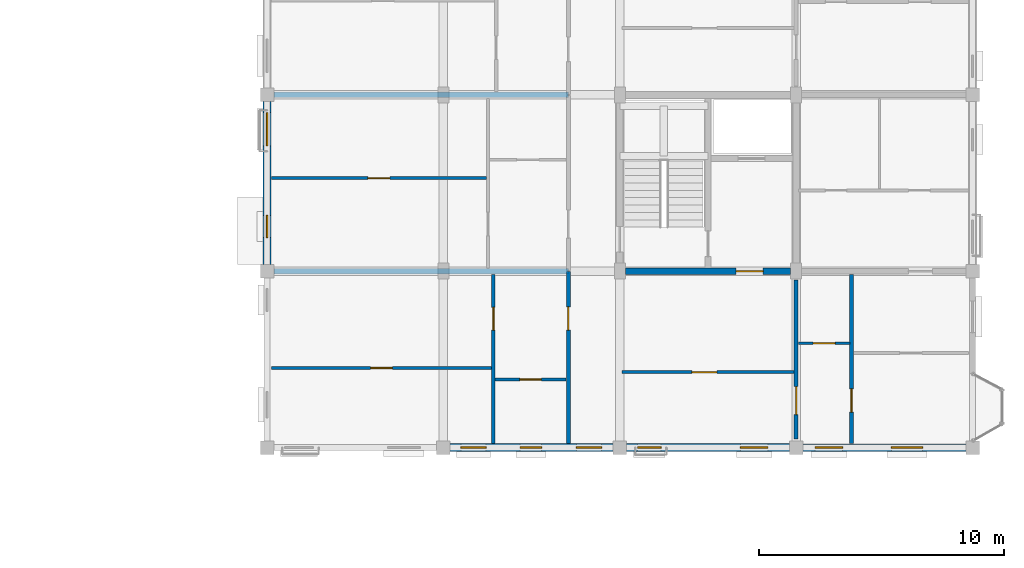
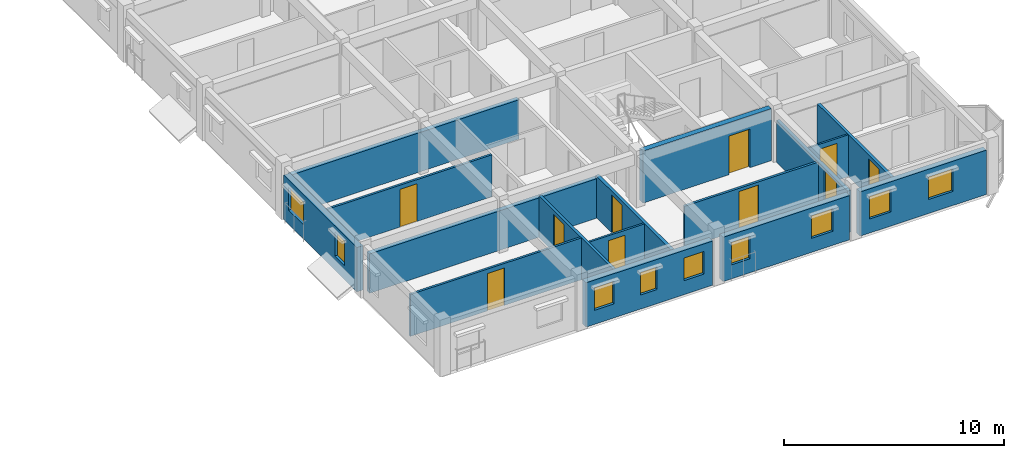
# One storey, part 54 of 75: 16 walls, 10 doors, 9 windows, 19 openings.
"""IFC4 building model written with IfcOpenShell, lengths in metres."""

from ifc_helpers import new_model, si_unit, direction, frame, frame_2d, origin, place, context, subcontext, project, spatial, rectangle, extrude, material, layer, layer_set, type_object, element, fill, save


model = new_model("IFC4")

# Units and contexts
model_context = context("Model", 3, precision=1e-05, world=origin(), true_north=direction((0.0, 1.0)))
body_context = subcontext(model_context, "Body", "Model", "MODEL_VIEW")
ifc_project = project(units=[si_unit("LENGTHUNIT", "METRE"), si_unit("AREAUNIT", "SQUARE_METRE"), si_unit("VOLUMEUNIT", "CUBIC_METRE"), si_unit("PLANEANGLEUNIT", "RADIAN"), si_unit("MASSUNIT", "GRAM", prefix="KILO"), si_unit("THERMODYNAMICTEMPERATUREUNIT", "KELVIN"), si_unit("POWERUNIT", "WATT")], contexts=[model_context])

# Site, building, storey
site_placement = place(None, origin())
site = spatial("IfcSite", under=ifc_project, at=site_placement, CompositionType="ELEMENT")
building_placement = place(site_placement, origin())
building = spatial("IfcBuilding", under=site, at=building_placement, Name="Tavuni Mirador Residences", CompositionType="ELEMENT")
storey_placement = place(building_placement, frame((0.0, 0.0, 20.25)))
storey = spatial("IfcBuildingStorey", under=building, at=storey_placement, Name="L06", CompositionType="ELEMENT", Elevation=20.25)

# Wall, opening, door
ifc_material_1 = material(Name="Precast concrete C40/50", Category="concrete")
ifc_layer_1 = layer(ifc_material_1, 0.280029296875, Name="Precast concrete C40/50", Category="concrete")
ifc_layer_set_1 = layer_set([ifc_layer_1], Name="Precast concrete C40/50")
wall_type_1 = type_object("IfcWallType", Name="WT-COR280", PredefinedType="SHEAR", material=ifc_layer_set_1)
wall_1_placement = place(storey_placement, frame((104.625, 93.60009765625, 0.0), z_axis=(0.0, 0.0, 1.0), x_axis=(1.0, 0.0, 0.0)))
wall_1 = element("IfcWall", 1, at=wall_1_placement, inside=storey, type_object=wall_type_1, Name="CWALL-C7-L06-SS", PredefinedType="SHEAR", context=body_context, shape_type="SweptSolid", body=[
    extrude(rectangle(XDim=6.75, YDim=0.280029296875, at=frame_2d((3.375, 0.0))), origin(), (0.0, 0.0, 1.0), 2.889892578125),
])
opening_1_placement = place(wall_1_placement, frame((4.52490234375, 0.0, 0.0)))
opening_1 = element("IfcOpeningElement", 2, at=opening_1_placement, cuts=wall_1, Name="Opening D-02", PredefinedType="OPENING", context=body_context, shape_type="SweptSolid", body=[
    extrude(rectangle(XDim=1.10009765625, YDim=2.14990234375, at=frame_2d((0.550048828125, 1.074951171875))), frame((0.0, 0.14990234375, 0.0), z_axis=(0.0, -1.0, 0.0), x_axis=(1.0, 0.0, 0.0)), (0.0, 0.0, 1.0), 0.300048828125),
])
ifc_material_2 = material(Name="Solid core iroko timber", Category="wood")
door_type_1 = type_object("IfcDoorType", Name="DT-LOB1100", OperationType="NOTDEFINED", PredefinedType="DOOR", material=ifc_material_2)
door_1_placement = place(opening_1_placement, frame((1.10009765625, 0.0, 0.0), z_axis=(0.0, 0.0, 1.0), x_axis=(-1.0, 0.0, 0.0)))
door_1 = element("IfcDoor", 3, at=door_1_placement, inside=storey, type_object=door_type_1, Name="DR-2290", OperationType="SINGLE_SWING_RIGHT", OverallHeight=2.14990234375, OverallWidth=1.10009765625, PredefinedType="DOOR", context=body_context, shape_type="SweptSolid", body=[
    extrude(rectangle(XDim=1.10009765625, YDim=2.14990234375, at=frame_2d((0.550048828125, 1.074951171875))), frame((0.0, 0.02490234375, 0.0), z_axis=(0.0, -1.0, 0.0), x_axis=(1.0, 0.0, 0.0)), (0.0, 0.0, 1.0), 0.050048828125),
])
fill(opening_1, door_1)

ifc_layer_2 = layer(ifc_material_1, 0.1650390625, Name="Precast concrete C40/50", Category="concrete")
ifc_layer_set_2 = layer_set([ifc_layer_2], Name="Precast concrete C40/50")
wall_type_2 = type_object("IfcWallType", Name="WT-CORR165", PredefinedType="PARTITIONING", material=ifc_layer_set_2)
wall_2_placement = place(storey_placement, frame((102.300048828125, 86.574951171875, 0.0), z_axis=(0.0, 0.0, 1.0), x_axis=(0.0, 1.0, 0.0)))
wall_2 = element("IfcWall", 4, at=wall_2_placement, inside=storey, type_object=wall_type_2, Name="CORW-BLK-D-L06-0-00", PredefinedType="PARTITIONING", context=body_context, shape_type="SweptSolid", body=[
    extrude(rectangle(XDim=7.005126953125, YDim=0.1650390625, at=frame_2d((3.50244140625, 0.0))), origin(), (0.0, 0.0, 1.0), 2.324951171875),
])
opening_2_placement = place(wall_2_placement, frame((4.625, 0.0, 0.0)))
opening_2 = element("IfcOpeningElement", 5, at=opening_2_placement, cuts=wall_2, Name="Opening D-19", PredefinedType="OPENING", context=body_context, shape_type="SweptSolid", body=[
    extrude(rectangle(XDim=0.93994140625, YDim=2.1201171875, at=frame_2d((0.469970703125, 1.06005859375))), frame((0.0, 0.092529296875, 0.0), z_axis=(0.0, -1.0, 0.0), x_axis=(1.0, 0.0, 0.0)), (0.0, 0.0, 1.0), 0.18505859375),
])
door_type_2 = type_object("IfcDoorType", Name="DT-FD60-940", OperationType="NOTDEFINED", PredefinedType="DOOR", material=ifc_material_2)
door_2_placement = place(opening_2_placement, origin())
door_2 = element("IfcDoor", 6, at=door_2_placement, inside=storey, type_object=door_type_2, Name="DR-2881", OperationType="SINGLE_SWING_RIGHT", OverallHeight=2.1201171875, OverallWidth=0.93994140625, PredefinedType="DOOR", context=body_context, shape_type="SweptSolid", body=[
    extrude(rectangle(XDim=0.93994140625, YDim=2.1201171875, at=frame_2d((0.469970703125, 1.06005859375))), frame((0.0, 0.02490234375, 0.0), z_axis=(0.0, -1.0, 0.0), x_axis=(1.0, 0.0, 0.0)), (0.0, 0.0, 1.0), 0.050048828125),
])
fill(opening_2, door_2)

wall_3_placement = place(storey_placement, frame((111.60009765625, 86.75, 0.0), z_axis=(0.0, 0.0, 1.0), x_axis=(0.0, 1.0, 0.0)))
wall_3 = element("IfcWall", 7, at=wall_3_placement, inside=storey, type_object=wall_type_2, Name="CORW-BLK-D-L06-1-00", PredefinedType="PARTITIONING", context=body_context, shape_type="SweptSolid", body=[
    extrude(rectangle(XDim=6.5, YDim=0.1650390625, at=frame_2d((3.25, 0.0))), origin(), (0.0, 0.0, 1.0), 2.324951171875),
])
opening_3_placement = place(wall_3_placement, frame((1.0, 0.0, 0.0)))
opening_3 = element("IfcOpeningElement", 8, at=opening_3_placement, cuts=wall_3, Name="Opening D-20", PredefinedType="OPENING", context=body_context, shape_type="SweptSolid", body=[
    extrude(rectangle(XDim=1.139892578125, YDim=2.179931640625, at=frame_2d((0.56982421875, 1.08984375))), frame((0.0, 0.092529296875, 0.0), z_axis=(0.0, -1.0, 0.0), x_axis=(1.0, 0.0, 0.0)), (0.0, 0.0, 1.0), 0.18505859375),
])
door_type_3 = type_object("IfcDoorType", Name="DT-FD60-1140", OperationType="NOTDEFINED", PredefinedType="DOOR", material=ifc_material_2)
door_3_placement = place(opening_3_placement, origin())
door_3 = element("IfcDoor", 9, at=door_3_placement, inside=storey, type_object=door_type_3, Name="DR-2888", OperationType="SINGLE_SWING_LEFT", OverallHeight=2.179931640625, OverallWidth=1.139892578125, PredefinedType="DOOR", context=body_context, shape_type="SweptSolid", body=[
    extrude(rectangle(XDim=1.139892578125, YDim=2.179931640625, at=frame_2d((0.56982421875, 1.08984375))), frame((0.0, 0.02490234375, 0.0), z_axis=(0.0, -1.0, 0.0), x_axis=(1.0, 0.0, 0.0)), (0.0, 0.0, 1.0), 0.050048828125),
])
fill(opening_3, door_3)

# Wall, openings, windows
ifc_layer_3 = layer(ifc_material_1, 0.330078125, Name="Precast concrete C40/50", Category="concrete")
ifc_layer_set_3 = layer_set([ifc_layer_3], Name="Precast concrete C40/50")
wall_type_3 = type_object("IfcWallType", Name="WT-EXT-COR330", PredefinedType="SOLIDWALL", material=ifc_layer_set_3)
wall_4_placement = place(storey_placement, frame((97.47509765625, 86.39990234375, 0.0), z_axis=(0.0, 0.0, 1.0), x_axis=(1.0, 0.0, 0.0)))
wall_4 = element("IfcWall", 10, at=wall_4_placement, inside=storey, type_object=wall_type_3, Name="EW-BLK-D-L06-S01", PredefinedType="SOLIDWALL", context=body_context, shape_type="SweptSolid", body=[
    extrude(rectangle(XDim=6.64990234375, YDim=0.330078125, at=frame_2d((3.324951171875, 0.0))), origin(), (0.0, 0.0, 1.0), 2.4599609375),
])
opening_4_placement = place(wall_4_placement, frame((0.4326171875, 0.0, 0.780029296875)))
opening_4 = element("IfcOpeningElement", 11, at=opening_4_placement, cuts=wall_4, Name="Opening WN-11", PredefinedType="OPENING", context=body_context, shape_type="SweptSolid", body=[
    extrude(rectangle(XDim=1.0400390625, YDim=1.260009765625, at=frame_2d((0.52001953125, 0.6298828125))), frame((0.0, 0.175048828125, 0.0), z_axis=(0.0, -1.0, 0.0), x_axis=(1.0, 0.0, 0.0)), (0.0, 0.0, 1.0), 0.35009765625),
])
opening_5_placement = place(wall_4_placement, frame((2.85498046875, 0.0, 0.780029296875)))
opening_5 = element("IfcOpeningElement", 12, at=opening_5_placement, cuts=wall_4, Name="Opening WN-09", PredefinedType="OPENING", context=body_context, shape_type="SweptSolid", body=[
    extrude(rectangle(XDim=0.8798828125, YDim=1.260009765625, at=frame_2d((0.43994140625, 0.6298828125))), frame((0.0, 0.175048828125, 0.0), z_axis=(0.0, -1.0, 0.0), x_axis=(1.0, 0.0, 0.0)), (0.0, 0.0, 1.0), 0.35009765625),
])
opening_6_placement = place(wall_4_placement, frame((5.1474609375, 0.0, 0.780029296875)))
opening_6 = element("IfcOpeningElement", 13, at=opening_6_placement, cuts=wall_4, Name="Opening WN-11", PredefinedType="OPENING", context=body_context, shape_type="SweptSolid", body=[
    extrude(rectangle(XDim=1.0400390625, YDim=1.260009765625, at=frame_2d((0.52001953125, 0.6298828125))), frame((0.0, 0.175048828125, 0.0), z_axis=(0.0, -1.0, 0.0), x_axis=(1.0, 0.0, 0.0)), (0.0, 0.0, 1.0), 0.35009765625),
])
ifc_material_3 = material(Name="Laminated solar-control glass", Category="glass")
window_type_1 = type_object("IfcWindowType", Name="WNT-09", PartitioningType="SINGLE_PANEL", PredefinedType="WINDOW", material=ifc_material_3)
window_1_placement = place(opening_5_placement, origin())
window_1 = element("IfcWindow", 14, at=window_1_placement, inside=storey, type_object=window_type_1, Name="WIN-1651", OverallHeight=1.260009765625, OverallWidth=0.8798828125, PartitioningType="SINGLE_PANEL", PredefinedType="WINDOW", context=body_context, shape_type="SweptSolid", body=[
    extrude(rectangle(XDim=0.8798828125, YDim=1.260009765625, at=frame_2d((0.43994140625, 0.6298828125))), frame((0.0, 0.030029296875, 0.0), z_axis=(0.0, -1.0, 0.0), x_axis=(1.0, 0.0, 0.0)), (0.0, 0.0, 1.0), 0.06005859375),
])
fill(opening_5, window_1)
window_type_2 = type_object("IfcWindowType", Name="WNT-11", PartitioningType="SINGLE_PANEL", PredefinedType="WINDOW", material=ifc_material_3)
window_2_placement = place(opening_4_placement, origin())
window_2 = element("IfcWindow", 15, at=window_2_placement, inside=storey, type_object=window_type_2, Name="WIN-1650", OverallHeight=1.260009765625, OverallWidth=1.0400390625, PartitioningType="SINGLE_PANEL", PredefinedType="WINDOW", context=body_context, shape_type="SweptSolid", body=[
    extrude(rectangle(XDim=1.0400390625, YDim=1.260009765625, at=frame_2d((0.52001953125, 0.6298828125))), frame((0.0, 0.030029296875, 0.0), z_axis=(0.0, -1.0, 0.0), x_axis=(1.0, 0.0, 0.0)), (0.0, 0.0, 1.0), 0.06005859375),
])
fill(opening_4, window_2)
window_3_placement = place(opening_6_placement, origin())
window_3 = element("IfcWindow", 16, at=window_3_placement, inside=storey, type_object=window_type_2, Name="WIN-1652", OverallHeight=1.260009765625, OverallWidth=1.0400390625, PartitioningType="SINGLE_PANEL", PredefinedType="WINDOW", context=body_context, shape_type="SweptSolid", body=[
    extrude(rectangle(XDim=1.0400390625, YDim=1.260009765625, at=frame_2d((0.52001953125, 0.6298828125))), frame((0.0, 0.030029296875, 0.0), z_axis=(0.0, -1.0, 0.0), x_axis=(1.0, 0.0, 0.0)), (0.0, 0.0, 1.0), 0.06005859375),
])
fill(opening_6, window_3)

wall_5_placement = place(storey_placement, frame((90.0, 100.52490234375, 0.0), z_axis=(0.0, 0.0, 1.0), x_axis=(0.0, -1.0, 0.0)))
wall_5 = element("IfcWall", 17, at=wall_5_placement, inside=storey, type_object=wall_type_3, Name="EW-BLK-D-L06-W01", PredefinedType="SOLIDWALL", context=body_context, shape_type="SweptSolid", body=[
    extrude(rectangle(XDim=6.64990234375, YDim=0.330078125, at=frame_2d((3.324951171875, 0.0))), origin(), (0.0, 0.0, 1.0), 2.4599609375),
])
opening_7_placement = place(wall_5_placement, frame((0.449951171875, 0.0, 0.780029296875)))
opening_7 = element("IfcOpeningElement", 18, at=opening_7_placement, cuts=wall_5, Name="Opening WN-15", PredefinedType="OPENING", context=body_context, shape_type="SweptSolid", body=[
    extrude(rectangle(XDim=1.360107421875, YDim=1.260009765625, at=frame_2d((0.68017578125, 0.6298828125))), frame((0.0, 0.175048828125, 0.0), z_axis=(0.0, -1.0, 0.0), x_axis=(1.0, 0.0, 0.0)), (0.0, 0.0, 1.0), 0.35009765625),
])
opening_8_placement = place(wall_5_placement, frame((4.64990234375, 0.0, 0.780029296875)))
opening_8 = element("IfcOpeningElement", 19, at=opening_8_placement, cuts=wall_5, Name="Opening WN-17", PredefinedType="OPENING", context=body_context, shape_type="SweptSolid", body=[
    extrude(rectangle(XDim=0.89990234375, YDim=1.360107421875, at=frame_2d((0.449951171875, 0.68017578125))), frame((0.0, 0.175048828125, 0.0), z_axis=(0.0, -1.0, 0.0), x_axis=(1.0, 0.0, 0.0)), (0.0, 0.0, 1.0), 0.35009765625),
])
window_type_3 = type_object("IfcWindowType", Name="WNT-15", PartitioningType="SINGLE_PANEL", PredefinedType="WINDOW", material=ifc_material_3)
window_4_placement = place(opening_7_placement, origin())
window_4 = element("IfcWindow", 20, at=window_4_placement, inside=storey, type_object=window_type_3, Name="WIN-1688", OverallHeight=1.260009765625, OverallWidth=1.360107421875, PartitioningType="SINGLE_PANEL", PredefinedType="WINDOW", context=body_context, shape_type="SweptSolid", body=[
    extrude(rectangle(XDim=1.360107421875, YDim=1.260009765625, at=frame_2d((0.68017578125, 0.6298828125))), frame((0.0, 0.030029296875, 0.0), z_axis=(0.0, -1.0, 0.0), x_axis=(1.0, 0.0, 0.0)), (0.0, 0.0, 1.0), 0.06005859375),
])
fill(opening_7, window_4)
window_type_4 = type_object("IfcWindowType", Name="WNT-17", PartitioningType="SINGLE_PANEL", PredefinedType="WINDOW", material=ifc_material_3)
window_5_placement = place(opening_8_placement, origin())
window_5 = element("IfcWindow", 21, at=window_5_placement, inside=storey, type_object=window_type_4, Name="WIN-1689", OverallHeight=1.360107421875, OverallWidth=0.89990234375, PartitioningType="SINGLE_PANEL", PredefinedType="WINDOW", context=body_context, shape_type="SweptSolid", body=[
    extrude(rectangle(XDim=0.89990234375, YDim=1.360107421875, at=frame_2d((0.449951171875, 0.68017578125))), frame((0.0, 0.030029296875, 0.0), z_axis=(0.0, -1.0, 0.0), x_axis=(1.0, 0.0, 0.0)), (0.0, 0.0, 1.0), 0.06005859375),
])
fill(opening_8, window_5)

ifc_material_4 = material(Name="Sgraffito lime-rendered precast concrete C40/50", Category="concrete")
ifc_layer_4 = layer(ifc_material_4, 0.304931640625, Name="Sgraffito lime-rendered precast concrete C40/50", Category="concrete")
ifc_layer_set_4 = layer_set([ifc_layer_4], Name="Sgraffito lime-rendered precast concrete C40/50")
wall_type_4 = type_object("IfcWallType", Name="WT-EXT-PC305", PredefinedType="SOLIDWALL", material=ifc_layer_set_4)
wall_6_placement = place(storey_placement, frame((111.875, 86.39990234375, 0.0), z_axis=(0.0, 0.0, 1.0), x_axis=(1.0, 0.0, 0.0)))
wall_6 = element("IfcWall", 22, at=wall_6_placement, inside=storey, type_object=wall_type_4, Name="EW-BLK-D-L06-S03", PredefinedType="SOLIDWALL", context=body_context, shape_type="SweptSolid", body=[
    extrude(rectangle(XDim=6.64990234375, YDim=0.304931640625, at=frame_2d((3.324951171875, 0.0))), origin(), (0.0, 0.0, 1.0), 2.4599609375),
])
opening_9_placement = place(wall_6_placement, frame((0.50244140625, 0.0, 0.780029296875)))
opening_9 = element("IfcOpeningElement", 23, at=opening_9_placement, cuts=wall_6, Name="Opening WN-12", PredefinedType="OPENING", context=body_context, shape_type="SweptSolid", body=[
    extrude(rectangle(XDim=1.1201171875, YDim=1.260009765625, at=frame_2d((0.56005859375, 0.6298828125))), frame((0.0, 0.16259765625, 0.0), z_axis=(0.0, -1.0, 0.0), x_axis=(1.0, 0.0, 0.0)), (0.0, 0.0, 1.0), 0.324951171875),
])
opening_10_placement = place(wall_6_placement, frame((3.607421875, 0.0, 0.780029296875)))
opening_10 = element("IfcOpeningElement", 24, at=opening_10_placement, cuts=wall_6, Name="Opening WN-14", PredefinedType="OPENING", context=body_context, shape_type="SweptSolid", body=[
    extrude(rectangle(XDim=1.280029296875, YDim=1.260009765625, at=frame_2d((0.64013671875, 0.6298828125))), frame((0.0, 0.16259765625, 0.0), z_axis=(0.0, -1.0, 0.0), x_axis=(1.0, 0.0, 0.0)), (0.0, 0.0, 1.0), 0.324951171875),
])
window_type_5 = type_object("IfcWindowType", Name="WNT-12", PartitioningType="SINGLE_PANEL", PredefinedType="WINDOW", material=ifc_material_3)
window_6_placement = place(opening_9_placement, origin())
window_6 = element("IfcWindow", 25, at=window_6_placement, inside=storey, type_object=window_type_5, Name="WIN-1655", OverallHeight=1.260009765625, OverallWidth=1.1201171875, PartitioningType="SINGLE_PANEL", PredefinedType="WINDOW", context=body_context, shape_type="SweptSolid", body=[
    extrude(rectangle(XDim=1.1201171875, YDim=1.260009765625, at=frame_2d((0.56005859375, 0.6298828125))), frame((0.0, 0.030029296875, 0.0), z_axis=(0.0, -1.0, 0.0), x_axis=(1.0, 0.0, 0.0)), (0.0, 0.0, 1.0), 0.06005859375),
])
fill(opening_9, window_6)
window_type_6 = type_object("IfcWindowType", Name="WNT-14", PartitioningType="SINGLE_PANEL", PredefinedType="WINDOW", material=ifc_material_3)
window_7_placement = place(opening_10_placement, origin())
window_7 = element("IfcWindow", 26, at=window_7_placement, inside=storey, type_object=window_type_6, Name="WIN-1656", OverallHeight=1.260009765625, OverallWidth=1.280029296875, PartitioningType="SINGLE_PANEL", PredefinedType="WINDOW", context=body_context, shape_type="SweptSolid", body=[
    extrude(rectangle(XDim=1.280029296875, YDim=1.260009765625, at=frame_2d((0.64013671875, 0.6298828125))), frame((0.0, 0.030029296875, 0.0), z_axis=(0.0, -1.0, 0.0), x_axis=(1.0, 0.0, 0.0)), (0.0, 0.0, 1.0), 0.06005859375),
])
fill(opening_10, window_7)

ifc_layer_5 = layer(ifc_material_4, 0.31494140625, Name="Sgraffito lime-rendered precast concrete C40/50", Category="concrete")
ifc_layer_set_5 = layer_set([ifc_layer_5], Name="Sgraffito lime-rendered precast concrete C40/50")
wall_type_5 = type_object("IfcWallType", Name="WT-EXT-PC315", PredefinedType="SOLIDWALL", material=ifc_layer_set_5)
wall_7_placement = place(storey_placement, frame((104.675048828125, 86.39990234375, 0.0), z_axis=(0.0, 0.0, 1.0), x_axis=(1.0, 0.0, 0.0)))
wall_7 = element("IfcWall", 27, at=wall_7_placement, inside=storey, type_object=wall_type_5, Name="EW-BLK-D-L06-S02", PredefinedType="SOLIDWALL", context=body_context, shape_type="SweptSolid", body=[
    extrude(rectangle(XDim=6.64990234375, YDim=0.31494140625, at=frame_2d((3.324951171875, 0.0))), origin(), (0.0, 0.0, 1.0), 2.4599609375),
])
opening_11_placement = place(wall_7_placement, frame((0.449951171875, 0.0, 0.780029296875)))
opening_11 = element("IfcOpeningElement", 28, at=opening_11_placement, cuts=wall_7, Name="Opening WN-10", PredefinedType="OPENING", context=body_context, shape_type="SweptSolid", body=[
    extrude(rectangle(XDim=0.9599609375, YDim=1.260009765625, at=frame_2d((0.47998046875, 0.6298828125))), frame((0.0, 0.16748046875, 0.0), z_axis=(0.0, -1.0, 0.0), x_axis=(1.0, 0.0, 0.0)), (0.0, 0.0, 1.0), 0.3349609375),
])
opening_12_placement = place(wall_7_placement, frame((4.64990234375, 0.0, 0.780029296875)))
opening_12 = element("IfcOpeningElement", 29, at=opening_12_placement, cuts=wall_7, Name="Opening WN-12", PredefinedType="OPENING", context=body_context, shape_type="SweptSolid", body=[
    extrude(rectangle(XDim=1.1201171875, YDim=1.260009765625, at=frame_2d((0.56005859375, 0.6298828125))), frame((0.0, 0.16748046875, 0.0), z_axis=(0.0, -1.0, 0.0), x_axis=(1.0, 0.0, 0.0)), (0.0, 0.0, 1.0), 0.3349609375),
])
window_type_7 = type_object("IfcWindowType", Name="WNT-10", PartitioningType="SINGLE_PANEL", PredefinedType="WINDOW", material=ifc_material_3)
window_8_placement = place(opening_11_placement, origin())
window_8 = element("IfcWindow", 30, at=window_8_placement, inside=storey, type_object=window_type_7, Name="WIN-1653", OverallHeight=1.260009765625, OverallWidth=0.9599609375, PartitioningType="SINGLE_PANEL", PredefinedType="WINDOW", context=body_context, shape_type="SweptSolid", body=[
    extrude(rectangle(XDim=0.9599609375, YDim=1.260009765625, at=frame_2d((0.47998046875, 0.6298828125))), frame((0.0, 0.030029296875, 0.0), z_axis=(0.0, -1.0, 0.0), x_axis=(1.0, 0.0, 0.0)), (0.0, 0.0, 1.0), 0.06005859375),
])
fill(opening_11, window_8)
window_9_placement = place(opening_12_placement, origin())
window_9 = element("IfcWindow", 31, at=window_9_placement, inside=storey, type_object=window_type_5, Name="WIN-1654", OverallHeight=1.260009765625, OverallWidth=1.1201171875, PartitioningType="SINGLE_PANEL", PredefinedType="WINDOW", context=body_context, shape_type="SweptSolid", body=[
    extrude(rectangle(XDim=1.1201171875, YDim=1.260009765625, at=frame_2d((0.56005859375, 0.6298828125))), frame((0.0, 0.030029296875, 0.0), z_axis=(0.0, -1.0, 0.0), x_axis=(1.0, 0.0, 0.0)), (0.0, 0.0, 1.0), 0.06005859375),
])
fill(opening_12, window_9)

# Wall, opening, door
ifc_material_5 = material(Name="Acoustic gypsum and concrete block partition", Category="concrete")
ifc_layer_6 = layer(ifc_material_5, 0.094970703125, Name="Acoustic gypsum and concrete block partition", Category="concrete")
ifc_layer_set_6 = layer_set([ifc_layer_6], Name="Acoustic gypsum and concrete block partition")
wall_type_6 = type_object("IfcWallType", Name="WT-PART095", PredefinedType="PARTITIONING", material=ifc_layer_set_6)
wall_8_placement = place(storey_placement, frame((111.68994140625, 90.659912109375, 0.0), z_axis=(0.0, 0.0, 1.0), x_axis=(1.0, 0.0, 0.0)))
wall_8 = element("IfcWall", 32, at=wall_8_placement, inside=storey, type_object=wall_type_6, Name="PW-BLK-D-L06-E00-IN1", PredefinedType="PARTITIONING", context=body_context, shape_type="SweptSolid", body=[
    extrude(rectangle(XDim=2.10009765625, YDim=0.094970703125, at=frame_2d((1.050048828125, 0.0))), origin(), (0.0, 0.0, 1.0), 2.324951171875),
])
opening_13_placement = place(wall_8_placement, frame((0.60009765625, 0.0, 0.0)))
opening_13 = element("IfcOpeningElement", 33, at=opening_13_placement, cuts=wall_8, Name="Opening D-09", PredefinedType="OPENING", context=body_context, shape_type="SweptSolid", body=[
    extrude(rectangle(XDim=0.89990234375, YDim=2.050048828125, at=frame_2d((0.449951171875, 1.02490234375))), frame((0.0, 0.0576171875, 0.0), z_axis=(0.0, -1.0, 0.0), x_axis=(1.0, 0.0, 0.0)), (0.0, 0.0, 1.0), 0.114990234375),
])
door_type_4 = type_object("IfcDoorType", Name="DT-WC900", OperationType="NOTDEFINED", PredefinedType="DOOR", material=ifc_material_2)
door_4_placement = place(opening_13_placement, origin())
door_4 = element("IfcDoor", 34, at=door_4_placement, inside=storey, type_object=door_type_4, Name="DR-4514", OperationType="SINGLE_SWING_RIGHT", OverallHeight=2.050048828125, OverallWidth=0.89990234375, PredefinedType="DOOR", context=body_context, shape_type="SweptSolid", body=[
    extrude(rectangle(XDim=0.89990234375, YDim=2.050048828125, at=frame_2d((0.449951171875, 1.02490234375))), frame((0.0, 0.02490234375, 0.0), z_axis=(0.0, -1.0, 0.0), x_axis=(1.0, 0.0, 0.0)), (0.0, 0.0, 1.0), 0.050048828125),
])
fill(opening_13, door_4)

ifc_layer_7 = layer(ifc_material_5, 0.10498046875, Name="Acoustic gypsum and concrete block partition", Category="concrete")
ifc_layer_set_7 = layer_set([ifc_layer_7], Name="Acoustic gypsum and concrete block partition")
wall_type_7 = type_object("IfcWallType", Name="WT-PART105", PredefinedType="PARTITIONING", material=ifc_layer_set_7)
wall_9_placement = place(storey_placement, frame((99.31005859375, 89.179931640625, 0.0), z_axis=(0.0, 0.0, 1.0), x_axis=(1.0, 0.0, 0.0)))
wall_9 = element("IfcWall", 35, at=wall_9_placement, inside=storey, type_object=wall_type_7, Name="PW-BLK-D-L06-W00-IN1", PredefinedType="PARTITIONING", context=body_context, shape_type="SweptSolid", body=[
    extrude(rectangle(XDim=2.89990234375, YDim=0.10498046875, at=frame_2d((1.449951171875, 0.0))), origin(), (0.0, 0.0, 1.0), 2.324951171875),
])
opening_14_placement = place(wall_9_placement, frame((1.014892578125, 0.0, 0.0)))
opening_14 = element("IfcOpeningElement", 36, at=opening_14_placement, cuts=wall_9, Name="Opening D-10", PredefinedType="OPENING", context=body_context, shape_type="SweptSolid", body=[
    extrude(rectangle(XDim=0.8701171875, YDim=2.050048828125, at=frame_2d((0.43505859375, 1.02490234375))), frame((0.0, 0.0625, 0.0), z_axis=(0.0, -1.0, 0.0), x_axis=(1.0, 0.0, 0.0)), (0.0, 0.0, 1.0), 0.125),
])
door_type_5 = type_object("IfcDoorType", Name="DT-WC870", OperationType="NOTDEFINED", PredefinedType="DOOR", material=ifc_material_2)
door_5_placement = place(opening_14_placement, origin())
door_5 = element("IfcDoor", 37, at=door_5_placement, inside=storey, type_object=door_type_5, Name="DR-4511", OperationType="SINGLE_SWING_LEFT", OverallHeight=2.050048828125, OverallWidth=0.8701171875, PredefinedType="DOOR", context=body_context, shape_type="SweptSolid", body=[
    extrude(rectangle(XDim=0.8701171875, YDim=2.050048828125, at=frame_2d((0.43505859375, 1.02490234375))), frame((0.0, 0.02490234375, 0.0), z_axis=(0.0, -1.0, 0.0), x_axis=(1.0, 0.0, 0.0)), (0.0, 0.0, 1.0), 0.050048828125),
])
fill(opening_14, door_5)

ifc_layer_8 = layer(ifc_material_5, 0.114990234375, Name="Acoustic gypsum and concrete block partition", Category="concrete")
ifc_layer_set_8 = layer_set([ifc_layer_8], Name="Acoustic gypsum and concrete block partition")
wall_type_8 = type_object("IfcWallType", Name="WT-PART115", PredefinedType="PARTITIONING", material=ifc_layer_set_8)
wall_10_placement = place(storey_placement, frame((90.175048828125, 89.64990234375, 0.0), z_axis=(0.0, 0.0, 1.0), x_axis=(1.0, 0.0, 0.0)))
wall_10 = element("IfcWall", 38, at=wall_10_placement, inside=storey, type_object=wall_type_8, Name="PW-BLK-D-L06-W00-OUT", PredefinedType="PARTITIONING", context=body_context, shape_type="SweptSolid", body=[
    extrude(rectangle(XDim=8.994873046875, YDim=0.114990234375, at=frame_2d((4.49755859375, 0.0))), origin(), (0.0, 0.0, 1.0), 2.324951171875),
])
opening_15_placement = place(wall_10_placement, frame((4.0576171875, 0.0, 0.0)))
opening_15 = element("IfcOpeningElement", 39, at=opening_15_placement, cuts=wall_10, Name="Opening D-08", PredefinedType="OPENING", context=body_context, shape_type="SweptSolid", body=[
    extrude(rectangle(XDim=0.8798828125, YDim=2.080078125, at=frame_2d((0.43994140625, 1.0400390625))), frame((0.0, 0.0673828125, 0.0), z_axis=(0.0, -1.0, 0.0), x_axis=(1.0, 0.0, 0.0)), (0.0, 0.0, 1.0), 0.135009765625),
])
door_type_6 = type_object("IfcDoorType", Name="DT-BED880", OperationType="NOTDEFINED", PredefinedType="DOOR", material=ifc_material_2)
door_6_placement = place(opening_15_placement, origin())
door_6 = element("IfcDoor", 40, at=door_6_placement, inside=storey, type_object=door_type_6, Name="DR-4510", OperationType="SINGLE_SWING_RIGHT", OverallHeight=2.080078125, OverallWidth=0.8798828125, PredefinedType="DOOR", context=body_context, shape_type="SweptSolid", body=[
    extrude(rectangle(XDim=0.8798828125, YDim=2.080078125, at=frame_2d((0.43994140625, 1.0400390625))), frame((0.0, 0.02490234375, 0.0), z_axis=(0.0, -1.0, 0.0), x_axis=(1.0, 0.0, 0.0)), (0.0, 0.0, 1.0), 0.050048828125),
])
fill(opening_15, door_6)

wall_11_placement = place(storey_placement, frame((90.175048828125, 97.39990234375, 0.0), z_axis=(0.0, 0.0, 1.0), x_axis=(1.0, 0.0, 0.0)))
wall_11 = element("IfcWall", 41, at=wall_11_placement, inside=storey, type_object=wall_type_8, Name="PW-BLK-D-L06-W01-OUT", PredefinedType="PARTITIONING", context=body_context, shape_type="SweptSolid", body=[
    extrude(rectangle(XDim=8.77490234375, YDim=0.114990234375, at=frame_2d((4.387451171875, 0.0))), origin(), (0.0, 0.0, 1.0), 2.324951171875),
])
opening_16_placement = place(wall_11_placement, frame((3.9375, 0.0, 0.0)))
opening_16 = element("IfcOpeningElement", 42, at=opening_16_placement, cuts=wall_11, Name="Opening D-07", PredefinedType="OPENING", context=body_context, shape_type="SweptSolid", body=[
    extrude(rectangle(XDim=0.89990234375, YDim=2.10009765625, at=frame_2d((0.449951171875, 1.050048828125))), frame((0.0, 0.0673828125, 0.0), z_axis=(0.0, -1.0, 0.0), x_axis=(1.0, 0.0, 0.0)), (0.0, 0.0, 1.0), 0.135009765625),
])
door_type_7 = type_object("IfcDoorType", Name="DT-BED900", OperationType="NOTDEFINED", PredefinedType="DOOR", material=ifc_material_2)
door_7_placement = place(opening_16_placement, origin())
door_7 = element("IfcDoor", 43, at=door_7_placement, inside=storey, type_object=door_type_7, Name="DR-4516", OperationType="SINGLE_SWING_LEFT", OverallHeight=2.10009765625, OverallWidth=0.89990234375, PredefinedType="DOOR", context=body_context, shape_type="SweptSolid", body=[
    extrude(rectangle(XDim=0.89990234375, YDim=2.10009765625, at=frame_2d((0.449951171875, 1.050048828125))), frame((0.0, 0.02490234375, 0.0), z_axis=(0.0, -1.0, 0.0), x_axis=(1.0, 0.0, 0.0)), (0.0, 0.0, 1.0), 0.050048828125),
])
fill(opening_16, door_7)

ifc_layer_9 = layer(ifc_material_5, 0.125, Name="Acoustic gypsum and concrete block partition", Category="concrete")
ifc_layer_set_9 = layer_set([ifc_layer_9], Name="Acoustic gypsum and concrete block partition")
wall_type_9 = type_object("IfcWallType", Name="WT-PART125", PredefinedType="PARTITIONING", material=ifc_layer_set_9)
wall_12_placement = place(storey_placement, frame((104.489990234375, 89.47998046875, 0.0), z_axis=(0.0, 0.0, 1.0), x_axis=(1.0, 0.0, 0.0)))
wall_12 = element("IfcWall", 44, at=wall_12_placement, inside=storey, type_object=wall_type_9, Name="PW-SPN-BLK-D-L06-00", PredefinedType="PARTITIONING", context=body_context, shape_type="SweptSolid", body=[
    extrude(rectangle(XDim=7.02001953125, YDim=0.125, at=frame_2d((3.510009765625, 0.0))), origin(), (0.0, 0.0, 1.0), 2.324951171875),
])
opening_17_placement = place(wall_12_placement, frame((2.85009765625, 0.0, 0.0)))
opening_17 = element("IfcOpeningElement", 45, at=opening_17_placement, cuts=wall_12, Name="Opening D-13", PredefinedType="OPENING", context=body_context, shape_type="SweptSolid", body=[
    extrude(rectangle(XDim=1.02001953125, YDim=2.14990234375, at=frame_2d((0.510009765625, 1.074951171875))), frame((0.0, 0.072509765625, 0.0), z_axis=(0.0, -1.0, 0.0), x_axis=(1.0, 0.0, 0.0)), (0.0, 0.0, 1.0), 0.14501953125),
])
door_type_8 = type_object("IfcDoorType", Name="DT-MTG1020", OperationType="NOTDEFINED", PredefinedType="DOOR", material=ifc_material_2)
door_8_placement = place(opening_17_placement, origin())
door_8 = element("IfcDoor", 46, at=door_8_placement, inside=storey, type_object=door_type_8, Name="DR-4509", OperationType="SINGLE_SWING_LEFT", OverallHeight=2.14990234375, OverallWidth=1.02001953125, PredefinedType="DOOR", context=body_context, shape_type="SweptSolid", body=[
    extrude(rectangle(XDim=1.02001953125, YDim=2.14990234375, at=frame_2d((0.510009765625, 1.074951171875))), frame((0.0, 0.02490234375, 0.0), z_axis=(0.0, -1.0, 0.0), x_axis=(1.0, 0.0, 0.0)), (0.0, 0.0, 1.0), 0.050048828125),
])
fill(opening_17, door_8)

ifc_layer_10 = layer(ifc_material_5, 0.139892578125, Name="Acoustic gypsum and concrete block partition", Category="concrete")
ifc_layer_set_10 = layer_set([ifc_layer_10], Name="Acoustic gypsum and concrete block partition")
wall_type_10 = type_object("IfcWallType", Name="WT-PART140", PredefinedType="PARTITIONING", material=ifc_layer_set_10)
wall_13_placement = place(storey_placement, frame((99.239990234375, 86.574951171875, 0.0), z_axis=(0.0, 0.0, 1.0), x_axis=(0.0, 1.0, 0.0)))
wall_13 = element("IfcWall", 47, at=wall_13_placement, inside=storey, type_object=wall_type_10, Name="PW-BLK-D-L06-W00-MID", PredefinedType="PARTITIONING", context=body_context, shape_type="SweptSolid", body=[
    extrude(rectangle(XDim=6.885009765625, YDim=0.139892578125, at=frame_2d((3.4423828125, 0.0))), origin(), (0.0, 0.0, 1.0), 2.324951171875),
])
opening_18_placement = place(wall_13_placement, frame((4.625, 0.0, 0.0)))
opening_18 = element("IfcOpeningElement", 48, at=opening_18_placement, cuts=wall_13, Name="Opening D-06", PredefinedType="OPENING", context=body_context, shape_type="SweptSolid", body=[
    extrude(rectangle(XDim=0.919921875, YDim=2.10009765625, at=frame_2d((0.4599609375, 1.050048828125))), frame((0.0, 0.080078125, 0.0), z_axis=(0.0, -1.0, 0.0), x_axis=(1.0, 0.0, 0.0)), (0.0, 0.0, 1.0), 0.159912109375),
])
door_type_9 = type_object("IfcDoorType", Name="DT-INT920", OperationType="NOTDEFINED", PredefinedType="DOOR", material=ifc_material_2)
door_9_placement = place(opening_18_placement, origin())
door_9 = element("IfcDoor", 49, at=door_9_placement, inside=storey, type_object=door_type_9, Name="DR-4512", OperationType="SINGLE_SWING_RIGHT", OverallHeight=2.10009765625, OverallWidth=0.919921875, PredefinedType="DOOR", context=body_context, shape_type="SweptSolid", body=[
    extrude(rectangle(XDim=0.919921875, YDim=2.10009765625, at=frame_2d((0.4599609375, 1.050048828125))), frame((0.0, 0.02490234375, 0.0), z_axis=(0.0, -1.0, 0.0), x_axis=(1.0, 0.0, 0.0)), (0.0, 0.0, 1.0), 0.050048828125),
])
fill(opening_18, door_9)

ifc_layer_11 = layer(ifc_material_5, 0.14990234375, Name="Acoustic gypsum and concrete block partition", Category="concrete")
ifc_layer_set_11 = layer_set([ifc_layer_11], Name="Acoustic gypsum and concrete block partition")
wall_type_11 = type_object("IfcWallType", Name="WT-PART150", PredefinedType="PARTITIONING", material=ifc_layer_set_11)
wall_14_placement = place(storey_placement, frame((113.860107421875, 86.574951171875, 0.0), z_axis=(0.0, 0.0, 1.0), x_axis=(0.0, 1.0, 0.0)))
wall_14 = element("IfcWall", 50, at=wall_14_placement, inside=storey, type_object=wall_type_11, Name="PW-BLK-D-L06-E00-MID", PredefinedType="PARTITIONING", context=body_context, shape_type="SweptSolid", body=[
    extrude(rectangle(XDim=6.885009765625, YDim=0.14990234375, at=frame_2d((3.4423828125, 0.0))), origin(), (0.0, 0.0, 1.0), 2.324951171875),
])
opening_19_placement = place(wall_14_placement, frame((1.27490234375, 0.0, 0.0)))
opening_19 = element("IfcOpeningElement", 51, at=opening_19_placement, cuts=wall_14, Name="Opening D-05", PredefinedType="OPENING", context=body_context, shape_type="SweptSolid", body=[
    extrude(rectangle(XDim=0.949951171875, YDim=2.10009765625, at=frame_2d((0.47509765625, 1.050048828125))), frame((0.0, 0.0849609375, 0.0), z_axis=(0.0, -1.0, 0.0), x_axis=(1.0, 0.0, 0.0)), (0.0, 0.0, 1.0), 0.169921875),
])
door_type_10 = type_object("IfcDoorType", Name="DT-INT950", OperationType="NOTDEFINED", PredefinedType="DOOR", material=ifc_material_2)
door_10_placement = place(opening_19_placement, origin())
door_10 = element("IfcDoor", 52, at=door_10_placement, inside=storey, type_object=door_type_10, Name="DR-4515", OperationType="SINGLE_SWING_LEFT", OverallHeight=2.10009765625, OverallWidth=0.949951171875, PredefinedType="DOOR", context=body_context, shape_type="SweptSolid", body=[
    extrude(rectangle(XDim=0.949951171875, YDim=2.10009765625, at=frame_2d((0.47509765625, 1.050048828125))), frame((0.0, 0.02490234375, 0.0), z_axis=(0.0, -1.0, 0.0), x_axis=(1.0, 0.0, 0.0)), (0.0, 0.0, 1.0), 0.050048828125),
])
fill(opening_19, door_10)

# Walls
ifc_layer_12 = layer(ifc_material_1, 0.235107421875, Name="Precast concrete C40/50", Category="concrete")
ifc_layer_set_12 = layer_set([ifc_layer_12], Name="Precast concrete C40/50")
wall_type_12 = type_object("IfcWallType", Name="WT-XW235", PredefinedType="SOLIDWALL", material=ifc_layer_set_12)
for number, where, z_axis, x_axis, name in (
    (53, (90.27490234375, 93.60009765625, 0.0), (0.0, 0.0, 1.0), (1.0, 0.0, 0.0), "XW-BLK-D-L06-W-01"),
    (54, (90.27490234375, 100.800048828125, 0.0), (0.0, 0.0, 1.0), (1.0, 0.0, 0.0), "XW-BLK-D-L06-W-02"),
):
    element("IfcWall", number, at=place(storey_placement, frame(where, z_axis=z_axis, x_axis=x_axis)), inside=storey, type_object=wall_type_12, Name=name, PredefinedType="SOLIDWALL", context=body_context, shape_type="SweptSolid", body=[
        extrude(rectangle(XDim=12.025146484375, YDim=0.235107421875, at=frame_2d((6.0126953125, 0.0))), origin(), (0.0, 0.0, 1.0), 2.18994140625),
    ])

save(model, "model.ifc")
